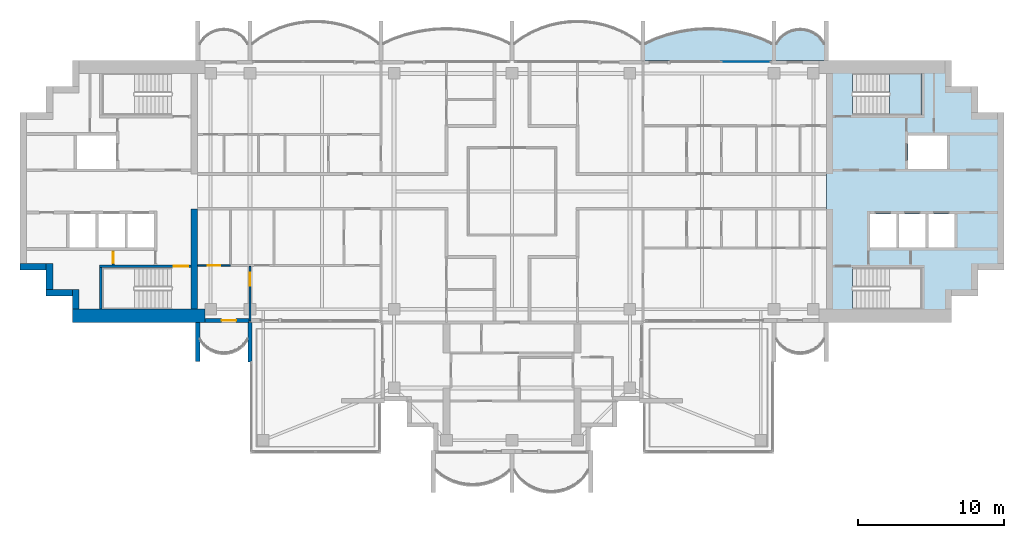
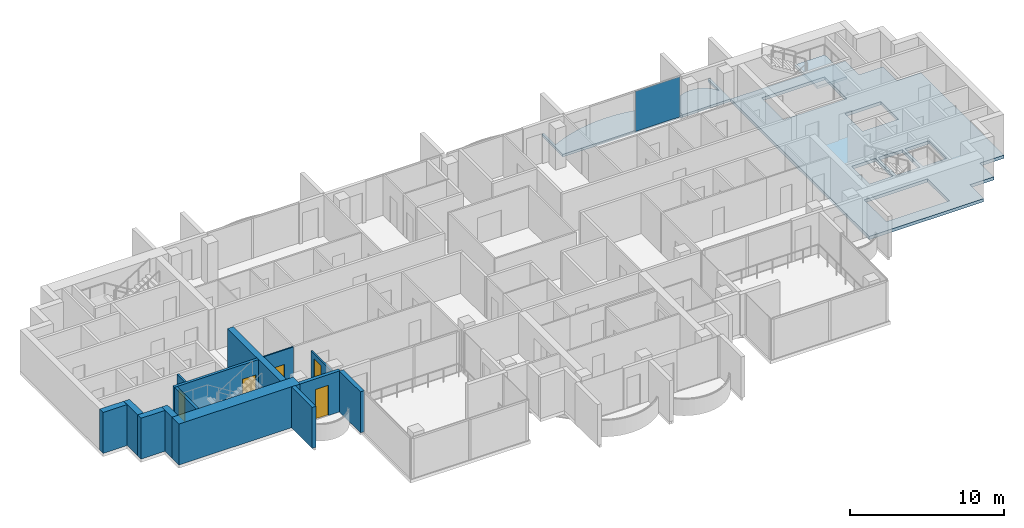
# One storey, part 6 of 16: 14 walls, 5 doors, 4 slabs, 1 plate, 5 openings, 2 elements without a shape of their own.
"""IFC4 building model written with IfcOpenShell, lengths in metres."""

from ifc_helpers import new_model, si_unit, direction, frame, frame_2d, origin, origin_2d, place, context, subcontext, project, spatial, polyline, rectangle, outline, extrude, material, layer, layer_set, type_object, element, fill, aggregate, save


model = new_model("IFC4")

# Units and contexts
model_context = context("Model", 3, precision=1e-05, world=origin(), true_north=direction((0.0, 1.0)))
body_context = subcontext(model_context, "Body", "Model", "MODEL_VIEW")
ifc_project = project(units=[si_unit("LENGTHUNIT", "METRE"), si_unit("AREAUNIT", "SQUARE_METRE"), si_unit("VOLUMEUNIT", "CUBIC_METRE"), si_unit("PLANEANGLEUNIT", "RADIAN"), si_unit("MASSUNIT", "GRAM", prefix="KILO")], contexts=[model_context])

# Site, building, storey
site_placement = place(None, origin())
site = spatial("IfcSite", under=ifc_project, at=site_placement, CompositionType="ELEMENT")
building_placement = place(site_placement, origin())
building = spatial("IfcBuilding", under=site, at=building_placement, Name="Perihelion Cross Residences", CompositionType="ELEMENT")
storey_placement = place(building_placement, frame((0.0, 0.0, 243.0)))
storey = spatial("IfcBuildingStorey", under=building, at=storey_placement, Name="L61", CompositionType="ELEMENT", Elevation=243.0)

# Slabs
ifc_material_1 = material(Name="Concrete C40/50", Category="concrete")
ifc_layer_1 = layer(ifc_material_1, 0.199951171875)
ifc_layer_set_1 = layer_set([ifc_layer_1], Name="Balcony slab 200")
slab_type_1 = type_object("IfcSlabType", Name="Balcony slab 200", PredefinedType="FLOOR", material=ifc_layer_set_1)
slab_1_placement = place(storey_placement, frame((0.0, 0.0, -0.199951171875)))
element("IfcSlab", 1, at=slab_1_placement, inside=storey, type_object=slab_type_1, Name="Slab BK1 L61 east side north bay 1 balcony", PredefinedType="FLOOR", context=body_context, shape_type="SweptSolid", body=[
    extrude(outline(polyline([(21.60009765625, 9.0), (18.0, 9.0), (18.0, 11.699951171875), (18.14990234375, 11.699951171875), (18.14990234375, 10.199951171875), (18.425048828125, 10.568603515625), (18.699951171875, 10.806396484375), (18.97509765625, 10.96875), (19.25, 11.07568359375), (19.52490234375, 11.136962890625), (19.800048828125, 11.156982421875), (20.074951171875, 11.136962890625), (20.35009765625, 11.07568359375), (20.625, 10.96875), (20.89990234375, 10.806396484375), (21.175048828125, 10.568603515625), (21.449951171875, 10.199951171875), (21.449951171875, 11.699951171875), (21.60009765625, 11.699951171875), (21.60009765625, 9.0)])), origin(), (0.0, 0.0, 1.0), 0.199951171875),
])
slab_2_placement = place(storey_placement, frame((0.0, 0.0, -0.199951171875)))
element("IfcSlab", 2, at=slab_2_placement, inside=storey, type_object=slab_type_1, Name="Slab BK1 L61 east side north bay 2 balcony", PredefinedType="FLOOR", context=body_context, shape_type="SweptSolid", body=[
    extrude(outline(polyline([(18.0, 9.0), (9.0, 9.0), (9.0, 11.699951171875), (9.14990234375, 11.699951171875), (9.14990234375, 10.199951171875), (9.875, 10.51708984375), (10.60009765625, 10.7685546875), (11.324951171875, 10.959716796875), (12.050048828125, 11.093994140625), (12.77490234375, 11.173583984375), (13.5, 11.199951171875), (14.22509765625, 11.173583984375), (14.949951171875, 11.093994140625), (15.675048828125, 10.959716796875), (16.39990234375, 10.7685546875), (17.125, 10.51708984375), (17.85009765625, 10.199951171875), (17.85009765625, 11.699951171875), (18.0, 11.699951171875), (18.0, 9.0)])), origin(), (0.0, 0.0, 1.0), 0.199951171875),
])

# Curtain wall, plate
ifc_material_2 = material(Name="Bronze anodised aluminium, tinted glazing", Category="aluminium")
curtain_wall_type = type_object("IfcCurtainWallType", Name="CW1", PredefinedType="NOTDEFINED", material=ifc_material_2)
curtain_wall_placement = place(storey_placement, origin())
curtain_wall = element("IfcCurtainWall", 3, at=curtain_wall_placement, inside=storey, type_object=curtain_wall_type, Name="Curtain wall CW1 L61 east side north bay 2", PredefinedType="NOTDEFINED")
ifc_material_3 = material(Name="Tinted laminated glass", Category="glass")
ifc_layer_2 = layer(ifc_material_3, 0.028076171875)
ifc_layer_set_2 = layer_set([ifc_layer_2], Name="CW1 panel")
plate_type = type_object("IfcPlateType", Name="CW1 panel", PredefinedType="CURTAIN_PANEL", material=ifc_layer_set_2)
plate_placement = place(storey_placement, frame((16.06005859375, 8.89990234375, 0.0), z_axis=(0.0, 0.0, 1.0), x_axis=(-1.0, 0.0, 0.0)))
plate = element("IfcPlate", 4, at=plate_placement, type_object=plate_type, Name="CW1 panel 1", PredefinedType="CURTAIN_PANEL", context=body_context, shape_type="SweptSolid", body=[
    extrude(rectangle(XDim=3.360107421875, YDim=0.028076171875, at=origin_2d()), origin(), (0.0, 0.0, 1.0), 3.18994140625),
])
aggregate(curtain_wall, [plate])

# Slab
ifc_material_4 = material(Name="Concrete C40/50", Category="concrete")
ifc_layer_3 = layer(ifc_material_4, 0.25)
ifc_layer_set_3 = layer_set([ifc_layer_3], Name="Core floor slab 250")
slab_type_2 = type_object("IfcSlabType", Name="Core floor slab 250", PredefinedType="FLOOR", material=ifc_layer_set_3)
slab_3_placement = place(storey_placement, frame((0.0, 0.0, -0.25)))
element("IfcSlab", 5, at=slab_3_placement, inside=storey, type_object=slab_type_2, Name="East core floor slab", PredefinedType="FLOOR", context=body_context, shape_type="SweptSolid", body=[
    extrude(outline(polyline([(30.199951171875, 7.199951171875), (32.0, 7.199951171875), (32.0, 5.39990234375), (33.800048828125, 5.39990234375), (33.800048828125, -5.39990234375), (32.0, -5.39990234375), (32.0, -7.199951171875), (30.199951171875, -7.199951171875), (30.199951171875, -9.0), (21.60009765625, -9.0), (21.60009765625, 9.0), (30.199951171875, 9.0), (30.199951171875, 7.199951171875)]), holes=[polyline([(28.14990234375, -8.10009765625), (28.14990234375, -5.25), (23.405029296875, -5.25), (23.405029296875, -8.10009765625), (28.14990234375, -8.10009765625)]), polyline([(24.60009765625, -1.550048828125), (24.60009765625, -3.85009765625), (26.39990234375, -3.85009765625), (26.39990234375, -1.550048828125), (24.60009765625, -1.550048828125)]), polyline([(26.60009765625, -1.550048828125), (26.60009765625, -3.85009765625), (28.39990234375, -3.85009765625), (28.39990234375, -1.550048828125), (26.60009765625, -1.550048828125)]), polyline([(28.60009765625, -3.85009765625), (30.39990234375, -3.85009765625), (30.39990234375, -1.550048828125), (28.60009765625, -1.550048828125), (28.60009765625, -3.85009765625)]), polyline([(27.199951171875, 3.85009765625), (27.199951171875, 1.550048828125), (29.89990234375, 1.550048828125), (29.89990234375, 3.85009765625), (27.199951171875, 3.85009765625)]), polyline([(23.405029296875, 5.25), (28.14990234375, 5.25), (28.14990234375, 8.10009765625), (23.405029296875, 8.10009765625), (23.405029296875, 5.25)])]), origin(), (0.0, 0.0, 1.0), 0.25),
])

# Stair, slab
ifc_material_5 = material(Name="Concrete C40/50", Category="concrete")
stair_type = type_object("IfcStairType", Name="Exit stair, half-turn", PredefinedType="HALF_TURN_STAIR", material=ifc_material_5)
stair_placement = place(storey_placement, origin())
stair = element("IfcStair", 6, at=stair_placement, inside=storey, type_object=stair_type, Name="L61 East core exit stair 1", PredefinedType="HALF_TURN_STAIR")
ifc_material_6 = material(Name="Concrete C40/50", Category="concrete")
ifc_layer_4 = layer(ifc_material_6, 0.199951171875)
ifc_layer_set_4 = layer_set([ifc_layer_4], Name="Exit stair landing 200")
slab_type_3 = type_object("IfcSlabType", Name="Exit stair landing 200", PredefinedType="LANDING", material=ifc_layer_set_4)
slab_4_placement = place(storey_placement, frame((0.0, 0.0, 1.550048828125)))
slab_4 = element("IfcSlab", 7, at=slab_4_placement, type_object=slab_type_3, Name="ST-E1 landing 1", PredefinedType="LANDING", context=body_context, shape_type="SweptSolid", body=[
    extrude(outline(polyline([(25.919921875, 5.25), (28.14990234375, 5.25), (28.14990234375, 8.10009765625), (25.919921875, 8.10009765625), (25.919921875, 5.25)])), origin(), (0.0, 0.0, 1.0), 0.199951171875),
])
aggregate(stair, [slab_4])

# Wall, opening, door
ifc_material_7 = material(Name="Concrete C30/37, bronze-clad", Category="concrete")
ifc_layer_5 = layer(ifc_material_7, 0.25)
ifc_layer_set_5 = layer_set([ifc_layer_5], Name="Bronze-clad pier wall 250")
wall_type_1 = type_object("IfcWallType", Name="Bronze-clad pier wall 250", PredefinedType="SOLIDWALL", material=ifc_layer_set_5)
wall_1_placement = place(storey_placement, frame((-21.10009765625, -8.875, 0.0), z_axis=(0.0, 0.0, 1.0), x_axis=(1.0, 0.0, 0.0)))
wall_1 = element("IfcWall", 8, at=wall_1_placement, inside=storey, type_object=wall_type_1, Name="Wall FW1 L61 west side south bay 1 pier", PredefinedType="SOLIDWALL", context=body_context, shape_type="SweptSolid", body=[
    extrude(rectangle(XDim=3.0400390625, YDim=0.25, at=frame_2d((1.52001953125, 0.0))), origin(), (0.0, 0.0, 1.0), 3.25),
])
opening_1_placement = place(wall_1_placement, frame((1.14990234375, 0.0, 0.0)))
opening_1 = element("IfcOpeningElement", 9, at=opening_1_placement, cuts=wall_1, Name="Opening L61.E07", PredefinedType="OPENING", context=body_context, shape_type="SweptSolid", body=[
    extrude(rectangle(XDim=1.0, YDim=2.39990234375, at=frame_2d((0.5, 1.199951171875))), frame((0.0, 0.135009765625, 0.0), z_axis=(0.0, -1.0, 0.0), x_axis=(1.0, 0.0, 0.0)), (0.0, 0.0, 1.0), 0.27001953125),
])
ifc_material_8 = material(Name="Bronze anodised aluminium, glazed", Category="aluminium")
door_type_1 = type_object("IfcDoorType", Name="Balcony door 1000 x 2400", OperationType="NOTDEFINED", PredefinedType="DOOR", material=ifc_material_8)
door_1_placement = place(opening_1_placement, origin())
door_1 = element("IfcDoor", 10, at=door_1_placement, inside=storey, type_object=door_type_1, Name="Door L61.E07 west side south bay 1", OperationType="SINGLE_SWING_LEFT", OverallHeight=2.39990234375, OverallWidth=1.0, PredefinedType="DOOR", context=body_context, shape_type="SweptSolid", body=[
    extrude(rectangle(XDim=1.0, YDim=2.39990234375, at=frame_2d((0.5, 1.199951171875))), frame((0.0, 0.02490234375, 0.0), z_axis=(0.0, -1.0, 0.0), x_axis=(1.0, 0.0, 0.0)), (0.0, 0.0, 1.0), 0.050048828125),
])
fill(opening_1, door_1)

# Walls
ifc_material_9 = material(Name="Concrete C60/75", Category="concrete")
ifc_layer_6 = layer(ifc_material_9, 0.449951171875)
ifc_layer_set_6 = layer_set([ifc_layer_6], Name="Core wall, inner 450")
wall_type_2 = type_object("IfcWallType", Name="Core wall, inner 450", PredefinedType="SHEAR", material=ifc_layer_set_6)
wall_2_placement = place(storey_placement, frame((-21.824951171875, -8.10009765625, 0.0), z_axis=(0.0, 0.0, 1.0), x_axis=(0.0, 1.0, 0.0)))
element("IfcWall", 11, at=wall_2_placement, inside=storey, type_object=wall_type_2, Name="West core core wall, inner", PredefinedType="SHEAR", context=body_context, shape_type="SweptSolid", body=[
    extrude(rectangle(XDim=6.900146484375, YDim=0.449951171875, at=frame_2d((3.4501953125, 0.0))), origin(), (0.0, 0.0, 1.0), 3.25),
])
ifc_material_10 = material(Name="Concrete C60/75", Category="concrete")
ifc_layer_7 = layer(ifc_material_10, 0.449951171875)
ifc_layer_set_7 = layer_set([ifc_layer_7], Name="Core wall, outer 450")
wall_type_3 = type_object("IfcWallType", Name="Core wall, outer 450", PredefinedType="SHEAR", material=ifc_layer_set_7)
wall_3_placement = place(storey_placement, frame((-29.97509765625, -8.10009765625, 0.0), z_axis=(0.0, 0.0, 1.0), x_axis=(0.0, 1.0, 0.0)))
element("IfcWall", 12, at=wall_3_placement, inside=storey, type_object=wall_type_3, Name="West core core wall, outer", PredefinedType="SHEAR", context=body_context, shape_type="SweptSolid", body=[
    extrude(rectangle(XDim=1.35009765625, YDim=0.449951171875, at=frame_2d((0.675048828125, 0.0))), origin(), (0.0, 0.0, 1.0), 3.25),
])
for number, where, z_axis, x_axis, name in (
    (13, (-32.0, -6.97509765625, 0.0), (0.0, 0.0, 1.0), (1.0, 0.0, 0.0), "West core core wall, outer"),
    (14, (-31.77490234375, -6.75, 0.0), (0.0, 0.0, 1.0), (0.0, 1.0, 0.0), "West core core wall, outer"),
    (15, (-33.800048828125, -5.175048828125, 0.0), (0.0, 0.0, 1.0), (1.0, 0.0, 0.0), "West core core wall, outer"),
):
    element("IfcWall", number, at=place(storey_placement, frame(where, z_axis=z_axis, x_axis=x_axis)), inside=storey, type_object=wall_type_3, Name=name, PredefinedType="SHEAR", context=body_context, shape_type="SweptSolid", body=[
        extrude(rectangle(XDim=1.800048828125, YDim=0.449951171875, at=frame_2d((0.89990234375, 0.0))), origin(), (0.0, 0.0, 1.0), 3.25),
    ])
ifc_material_11 = material(Name="Concrete C60/75", Category="concrete")
ifc_layer_8 = layer(ifc_material_11, 0.89990234375)
ifc_layer_set_8 = layer_set([ifc_layer_8], Name="Core wall, outer 900")
wall_type_4 = type_object("IfcWallType", Name="Core wall, outer 900", PredefinedType="SHEAR", material=ifc_layer_set_8)
wall_4_placement = place(storey_placement, frame((-30.199951171875, -8.550048828125, 0.0), z_axis=(0.0, 0.0, 1.0), x_axis=(1.0, 0.0, 0.0)))
element("IfcWall", 16, at=wall_4_placement, inside=storey, type_object=wall_type_4, Name="West core core wall, outer", PredefinedType="SHEAR", context=body_context, shape_type="SweptSolid", body=[
    extrude(rectangle(XDim=9.099853515625, YDim=0.89990234375, at=frame_2d((4.5498046875, 0.0))), origin(), (0.0, 0.0, 1.0), 3.25),
])

# Wall, opening, door
ifc_material_12 = material(Name="Plasterboard partition")
ifc_layer_9 = layer(ifc_material_12, 0.1201171875)
ifc_layer_set_9 = layer_set([ifc_layer_9], Name="Partition wall 120")
wall_type_5 = type_object("IfcWallType", Name="Partition wall 120", PredefinedType="PARTITIONING", material=ifc_layer_set_9)
wall_5_placement = place(storey_placement, frame((-18.0, -8.919921875, 0.0), z_axis=(0.0, 0.0, 1.0), x_axis=(0.0, 1.0, 0.0)))
wall_5 = element("IfcWall", 17, at=wall_5_placement, inside=storey, type_object=wall_type_5, Name="Partition L61 W057", PredefinedType="PARTITIONING", context=body_context, shape_type="SweptSolid", body=[
    extrude(rectangle(XDim=3.760009765625, YDim=0.1201171875, at=frame_2d((1.8798828125, 0.0))), origin(), (0.0, 0.0, 1.0), 2.49609375),
])
opening_2_placement = place(wall_5_placement, frame((2.43994140625, 0.0, 0.0)))
opening_2 = element("IfcOpeningElement", 18, at=opening_2_placement, cuts=wall_5, Name="Opening L61.A29", PredefinedType="OPENING", context=body_context, shape_type="SweptSolid", body=[
    extrude(rectangle(XDim=0.89990234375, YDim=2.10009765625, at=frame_2d((0.449951171875, 1.050048828125))), frame((0.0, 0.070068359375, 0.0), z_axis=(0.0, -1.0, 0.0), x_axis=(1.0, 0.0, 0.0)), (0.0, 0.0, 1.0), 0.14013671875),
])
ifc_material_13 = material(Name="Timber door leaf", Category="wood")
door_type_2 = type_object("IfcDoorType", Name="Interior room door 900 x 2100", OperationType="SINGLE_SWING_LEFT", PredefinedType="DOOR", material=ifc_material_13)
door_2_placement = place(opening_2_placement, origin())
door_2 = element("IfcDoor", 19, at=door_2_placement, inside=storey, type_object=door_type_2, Name="Door L61.A29", OperationType="SINGLE_SWING_RIGHT", OverallHeight=2.10009765625, OverallWidth=0.89990234375, PredefinedType="DOOR", context=body_context, shape_type="SweptSolid", body=[
    extrude(rectangle(XDim=0.89990234375, YDim=2.10009765625, at=frame_2d((0.449951171875, 1.050048828125))), frame((0.0, 0.02490234375, 0.0), z_axis=(0.0, -1.0, 0.0), x_axis=(1.0, 0.0, 0.0)), (0.0, 0.0, 1.0), 0.050048828125),
])
fill(opening_2, door_2)

# Walls
ifc_material_14 = material(Name="Precast concrete C50/60", Category="concrete")
ifc_layer_10 = layer(ifc_material_14, 0.300048828125)
ifc_layer_set_10 = layer_set([ifc_layer_10], Name="Precast concrete C50/60 blade wall 300")
wall_type_6 = type_object("IfcWallType", Name="Precast concrete C50/60 blade wall 300", PredefinedType="SOLIDWALL", material=ifc_layer_set_10)
wall_6_placement = place(storey_placement, frame((-21.60009765625, -9.0, 0.0), z_axis=(0.0, 0.0, 1.0), x_axis=(0.0, -1.0, 0.0)))
element("IfcWall", 20, at=wall_6_placement, inside=storey, type_object=wall_type_6, Name="Wall BL1 L61 no. 3", PredefinedType="SOLIDWALL", context=body_context, shape_type="SweptSolid", body=[
    extrude(rectangle(XDim=2.699951171875, YDim=0.300048828125, at=frame_2d((1.35009765625, 0.0))), origin(), (0.0, 0.0, 1.0), 3.25),
])
wall_7_placement = place(storey_placement, frame((-18.0, -9.0, 0.0), z_axis=(0.0, 0.0, 1.0), x_axis=(0.0, -1.0, 0.0)))
element("IfcWall", 21, at=wall_7_placement, inside=storey, type_object=wall_type_6, Name="Wall BL1 L61 no. 1", PredefinedType="SOLIDWALL", context=body_context, shape_type="SweptSolid", body=[
    extrude(rectangle(XDim=2.739990234375, YDim=0.300048828125, at=frame_2d((1.3701171875, 0.0))), origin(), (0.0, 0.0, 1.0), 3.25),
])

# Wall, opening, door
ifc_material_15 = material(Name="Fire-rated board on steel stud", Category="steel")
ifc_layer_11 = layer(ifc_material_15, 0.14990234375)
ifc_layer_set_11 = layer_set([ifc_layer_11], Name="Riser wall 150")
wall_type_7 = type_object("IfcWallType", Name="Riser wall 150", PredefinedType="PARTITIONING", material=ifc_layer_set_11)
wall_8_placement = place(storey_placement, frame((-27.39990234375, -5.050048828125, 0.0), z_axis=(0.0, 0.0, 1.0), x_axis=(0.0, 1.0, 0.0)))
wall_8 = element("IfcWall", 22, at=wall_8_placement, inside=storey, type_object=wall_type_7, Name="West core riser wall", PredefinedType="PARTITIONING", context=body_context, shape_type="SweptSolid", body=[
    extrude(rectangle(XDim=1.0, YDim=0.14990234375, at=frame_2d((0.5, 0.0))), origin(), (0.0, 0.0, 1.0), 3.25),
])
opening_3_placement = place(wall_8_placement, frame((0.10009765625, 0.0, 0.0)))
opening_3 = element("IfcOpeningElement", 23, at=opening_3_placement, cuts=wall_8, Name="Opening L61.C25", PredefinedType="OPENING", context=body_context, shape_type="SweptSolid", body=[
    extrude(rectangle(XDim=0.800048828125, YDim=2.10009765625, at=frame_2d((0.39990234375, 1.050048828125))), frame((0.0, 0.0849609375, 0.0), z_axis=(0.0, -1.0, 0.0), x_axis=(1.0, 0.0, 0.0)), (0.0, 0.0, 1.0), 0.169921875),
])
ifc_material_16 = material(Name="Steel, powder coated", Category="steel")
door_type_3 = type_object("IfcDoorType", Name="Riser door 800", OperationType="SINGLE_SWING_LEFT", PredefinedType="DOOR", material=ifc_material_16)
door_3_placement = place(opening_3_placement, origin())
door_3 = element("IfcDoor", 24, at=door_3_placement, inside=storey, type_object=door_type_3, Name="West core riser door", OperationType="SINGLE_SWING_LEFT", OverallHeight=2.10009765625, OverallWidth=0.800048828125, PredefinedType="DOOR", context=body_context, shape_type="SweptSolid", body=[
    extrude(rectangle(XDim=0.800048828125, YDim=2.10009765625, at=frame_2d((0.39990234375, 1.050048828125))), frame((0.0, 0.02490234375, 0.0), z_axis=(0.0, -1.0, 0.0), x_axis=(1.0, 0.0, 0.0)), (0.0, 0.0, 1.0), 0.050048828125),
])
fill(opening_3, door_3)

ifc_material_17 = material(Name="Concrete C50/60", Category="concrete")
ifc_layer_12 = layer(ifc_material_17, 0.199951171875)
ifc_layer_set_12 = layer_set([ifc_layer_12], Name="Stair wall 200")
wall_type_8 = type_object("IfcWallType", Name="Stair wall 200", PredefinedType="SOLIDWALL", material=ifc_layer_set_12)
wall_9_placement = place(storey_placement, frame((-28.35009765625, -5.14990234375, 0.0), z_axis=(0.0, 0.0, 1.0), x_axis=(1.0, 0.0, 0.0)))
wall_9 = element("IfcWall", 25, at=wall_9_placement, inside=storey, type_object=wall_type_8, Name="West core stair wall", PredefinedType="SOLIDWALL", context=body_context, shape_type="SweptSolid", body=[
    extrude(rectangle(XDim=6.300048828125, YDim=0.199951171875, at=frame_2d((3.14990234375, 0.0))), origin(), (0.0, 0.0, 1.0), 3.25),
])
opening_4_placement = place(wall_9_placement, frame((5.10009765625, 0.0, 0.0)))
opening_4 = element("IfcOpeningElement", 26, at=opening_4_placement, cuts=wall_9, Name="Opening L61.C19", PredefinedType="OPENING", context=body_context, shape_type="SweptSolid", body=[
    extrude(rectangle(XDim=1.0, YDim=2.10009765625, at=frame_2d((0.5, 1.050048828125))), frame((0.0, 0.10986328125, 0.0), z_axis=(0.0, -1.0, 0.0), x_axis=(1.0, 0.0, 0.0)), (0.0, 0.0, 1.0), 0.219970703125),
])
ifc_material_18 = material(Name="Steel, powder coated", Category="steel")
door_type_4 = type_object("IfcDoorType", Name="Stair door 1000", OperationType="SINGLE_SWING_LEFT", PredefinedType="DOOR", material=ifc_material_18)
door_4_placement = place(opening_4_placement, origin())
door_4 = element("IfcDoor", 27, at=door_4_placement, inside=storey, type_object=door_type_4, Name="West core stair door", OperationType="SINGLE_SWING_LEFT", OverallHeight=2.10009765625, OverallWidth=1.0, PredefinedType="DOOR", context=body_context, shape_type="SweptSolid", body=[
    extrude(rectangle(XDim=1.0, YDim=2.10009765625, at=frame_2d((0.5, 1.050048828125))), frame((0.0, 0.02490234375, 0.0), z_axis=(0.0, -1.0, 0.0), x_axis=(1.0, 0.0, 0.0)), (0.0, 0.0, 1.0), 0.050048828125),
])
fill(opening_4, door_4)

# Wall
wall_10_placement = place(storey_placement, frame((-28.25, -8.10009765625, 0.0), z_axis=(0.0, 0.0, 1.0), x_axis=(0.0, 1.0, 0.0)))
element("IfcWall", 28, at=wall_10_placement, inside=storey, type_object=wall_type_8, Name="West core stair wall", PredefinedType="SOLIDWALL", context=body_context, shape_type="SweptSolid", body=[
    extrude(rectangle(XDim=2.85009765625, YDim=0.199951171875, at=frame_2d((1.425048828125, 0.0))), origin(), (0.0, 0.0, 1.0), 3.25),
])

# Wall, opening, door
ifc_material_19 = material(Name="Plasterboard partition")
ifc_layer_13 = layer(ifc_material_19, 0.10009765625)
ifc_layer_set_13 = layer_set([ifc_layer_13], Name="Wet room wall 100")
wall_type_9 = type_object("IfcWallType", Name="Wet room wall 100", PredefinedType="PARTITIONING", material=ifc_layer_set_13)
wall_11_placement = place(storey_placement, frame((-19.35009765625, -5.10009765625, 0.0), z_axis=(0.0, 0.0, 1.0), x_axis=(-1.0, 0.0, 0.0)))
wall_11 = element("IfcWall", 29, at=wall_11_placement, inside=storey, type_object=wall_type_9, Name="Partition L61 W056", PredefinedType="PARTITIONING", context=body_context, shape_type="SweptSolid", body=[
    extrude(rectangle(XDim=2.25, YDim=0.10009765625, at=frame_2d((1.125, 0.0))), origin(), (0.0, 0.0, 1.0), 3.25),
])
opening_5_placement = place(wall_11_placement, frame((0.699951171875, 0.0, 0.0)))
opening_5 = element("IfcOpeningElement", 30, at=opening_5_placement, cuts=wall_11, Name="Opening L61.A25", PredefinedType="OPENING", context=body_context, shape_type="SweptSolid", body=[
    extrude(rectangle(XDim=0.85009765625, YDim=2.10009765625, at=frame_2d((0.425048828125, 1.050048828125))), frame((0.0, 0.06005859375, 0.0), z_axis=(0.0, -1.0, 0.0), x_axis=(1.0, 0.0, 0.0)), (0.0, 0.0, 1.0), 0.1201171875),
])
ifc_material_20 = material(Name="Timber door leaf", Category="wood")
door_type_5 = type_object("IfcDoorType", Name="Interior bathroom door 850 x 2100", OperationType="SINGLE_SWING_LEFT", PredefinedType="DOOR", material=ifc_material_20)
door_5_placement = place(opening_5_placement, origin())
door_5 = element("IfcDoor", 31, at=door_5_placement, inside=storey, type_object=door_type_5, Name="Door L61.A25", OperationType="SINGLE_SWING_LEFT", OverallHeight=2.10009765625, OverallWidth=0.85009765625, PredefinedType="DOOR", context=body_context, shape_type="SweptSolid", body=[
    extrude(rectangle(XDim=0.85009765625, YDim=2.10009765625, at=frame_2d((0.425048828125, 1.050048828125))), frame((0.0, 0.02490234375, 0.0), z_axis=(0.0, -1.0, 0.0), x_axis=(1.0, 0.0, 0.0)), (0.0, 0.0, 1.0), 0.050048828125),
])
fill(opening_5, door_5)

save(model, "model.ifc")
